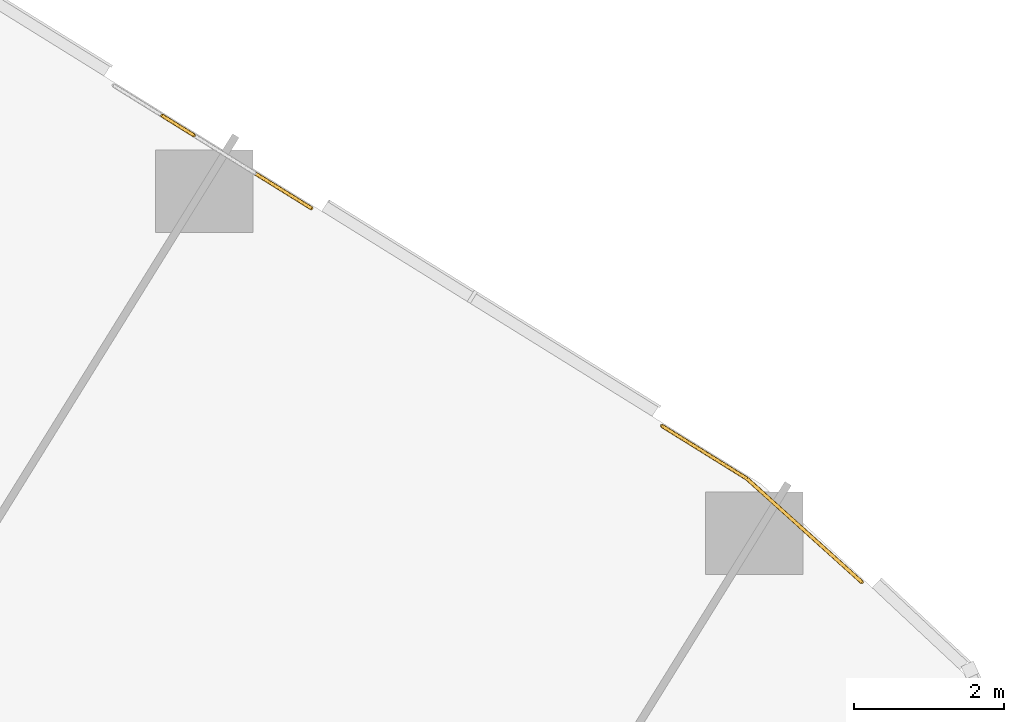
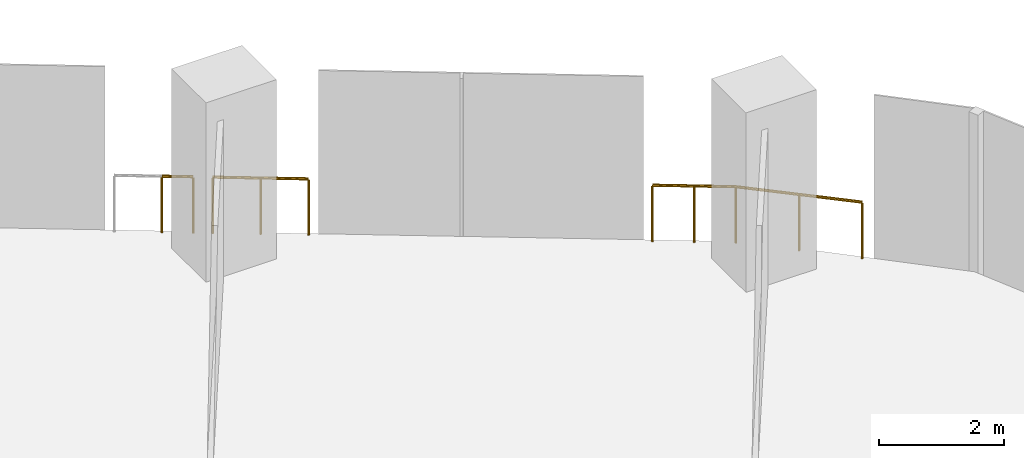
# One storey, part 33 of 34: 3 railings.
"""IFC4 building model written with IfcOpenShell, lengths in metres."""

from ifc_helpers import new_model, si_unit, direction, frame, origin, origin_2d, place, context, subcontext, project, spatial, circle, extrude, material, type_object, element, save


model = new_model("IFC4")

# Units and contexts
model_context = context("Model", 3, precision=1e-05, world=origin(), true_north=direction((0.0, 1.0)))
body_context = subcontext(model_context, "Body", "Model", "MODEL_VIEW")
ifc_project = project(units=[si_unit("LENGTHUNIT", "METRE"), si_unit("AREAUNIT", "SQUARE_METRE"), si_unit("VOLUMEUNIT", "CUBIC_METRE"), si_unit("PLANEANGLEUNIT", "RADIAN"), si_unit("MASSUNIT", "GRAM", prefix="KILO")], contexts=[model_context])

# Site, building, storey
site_placement = place(None, origin())
site = spatial("IfcSite", under=ifc_project, at=site_placement, CompositionType="ELEMENT")
building_placement = place(site_placement, origin())
building = spatial("IfcBuilding", under=site, at=building_placement, Name="Orlundy Tower", CompositionType="ELEMENT")
storey_placement = place(building_placement, frame((0.0, 0.0, 37.300048828125)))
storey = spatial("IfcBuildingStorey", under=building, at=storey_placement, Name="L07", CompositionType="ELEMENT", Elevation=37.300048828125)

# Railings
ifc_material = material(Name="Stainless steel bronze finish", Category="steel")
railing_type = type_object("IfcRailingType", Name="TG1 terrace guard", PredefinedType="GUARDRAIL", material=ifc_material)
railing_1_placement = place(storey_placement, frame((51.70166015625, -8.6044921875, 0.0)))
element("IfcRailing", 1, at=railing_1_placement, inside=storey, type_object=railing_type, Name="Guard TG-L07-E00", PredefinedType="GUARDRAIL", context=body_context, shape_type="SweptSolid", body=[
    extrude(circle(Radius=0.02490234375, at=origin_2d()), frame((0.0, 0.0, 1.09521484375), z_axis=(0.849493356645, -0.527599314837, 0.0), x_axis=(0.527599314837, 0.849493356645, 0.0)), (0.0, 0.0, 1.0), 1.33642578125),
    extrude(circle(Radius=0.02490234375, at=origin_2d()), frame((1.13525390625, -0.705078125, 1.09521484375), z_axis=(0.743005765882, -0.669285015421, 0.0), x_axis=(0.669285015421, 0.743005765882, 0.0)), (0.0, 0.0, 1.0), 2.063232421875),
    extrude(circle(Radius=0.02001953125, at=origin_2d()), origin(), (0.0, 0.0, 1.0), 1.070068359375),
    extrude(circle(Radius=0.02001953125, at=origin_2d()), frame((0.567626953125, -0.3525390625, 0.0)), (0.0, 0.0, 1.0), 1.070068359375),
    extrude(circle(Radius=0.02001953125, at=origin_2d()), frame((1.13525390625, -0.705078125, 0.0)), (0.0, 0.0, 1.0), 1.070068359375),
    extrude(circle(Radius=0.02001953125, at=origin_2d()), frame((1.90185546875, -1.3955078125, 0.0)), (0.0, 0.0, 1.0), 1.070068359375),
    extrude(circle(Radius=0.02001953125, at=origin_2d()), frame((2.668212890625, -2.0859375, 0.0)), (0.0, 0.0, 1.0), 1.070068359375),
])
railing_2_placement = place(storey_placement, frame((45.731201171875, -4.89794921875, 0.0)))
element("IfcRailing", 2, at=railing_2_placement, inside=storey, type_object=railing_type, Name="Guard TG-L07-E019", PredefinedType="GUARDRAIL", context=body_context, shape_type="SweptSolid", body=[
    extrude(circle(Radius=0.02490234375, at=origin_2d()), frame((0.0, 0.0, 1.09521484375), z_axis=(0.849544090154, -0.527517619501, 0.0), x_axis=(0.527517619501, 0.849544090154, 0.0)), (0.0, 0.0, 1.0), 1.531494140625),
    extrude(circle(Radius=0.02001953125, at=origin_2d()), origin(), (0.0, 0.0, 1.0), 1.070068359375),
    extrude(circle(Radius=0.02001953125, at=origin_2d()), frame((0.650390625, -0.40380859375, 0.0)), (0.0, 0.0, 1.0), 1.070068359375),
    extrude(circle(Radius=0.02001953125, at=origin_2d()), frame((1.301025390625, -0.807861328125, 0.0)), (0.0, 0.0, 1.0), 1.070068359375),
])
railing_3_placement = place(storey_placement, frame((45.0400390625, -4.46875, 0.0)))
element("IfcRailing", 3, at=railing_3_placement, inside=storey, type_object=railing_type, Name="Guard TG-L07-E031", PredefinedType="GUARDRAIL", context=body_context, shape_type="SweptSolid", body=[
    extrude(circle(Radius=0.02490234375, at=origin_2d()), frame((0.0, 0.0, 1.09521484375), z_axis=(0.849580016076, -0.527459757976, 0.0), x_axis=(0.527459757976, 0.849580016076, 0.0)), (0.0, 0.0, 1.0), 0.501708984375),
    extrude(circle(Radius=0.02001953125, at=origin_2d()), origin(), (0.0, 0.0, 1.0), 1.070068359375),
    extrude(circle(Radius=0.02001953125, at=origin_2d()), frame((0.42626953125, -0.2646484375, 0.0)), (0.0, 0.0, 1.0), 1.070068359375),
])

save(model, "model.ifc")
